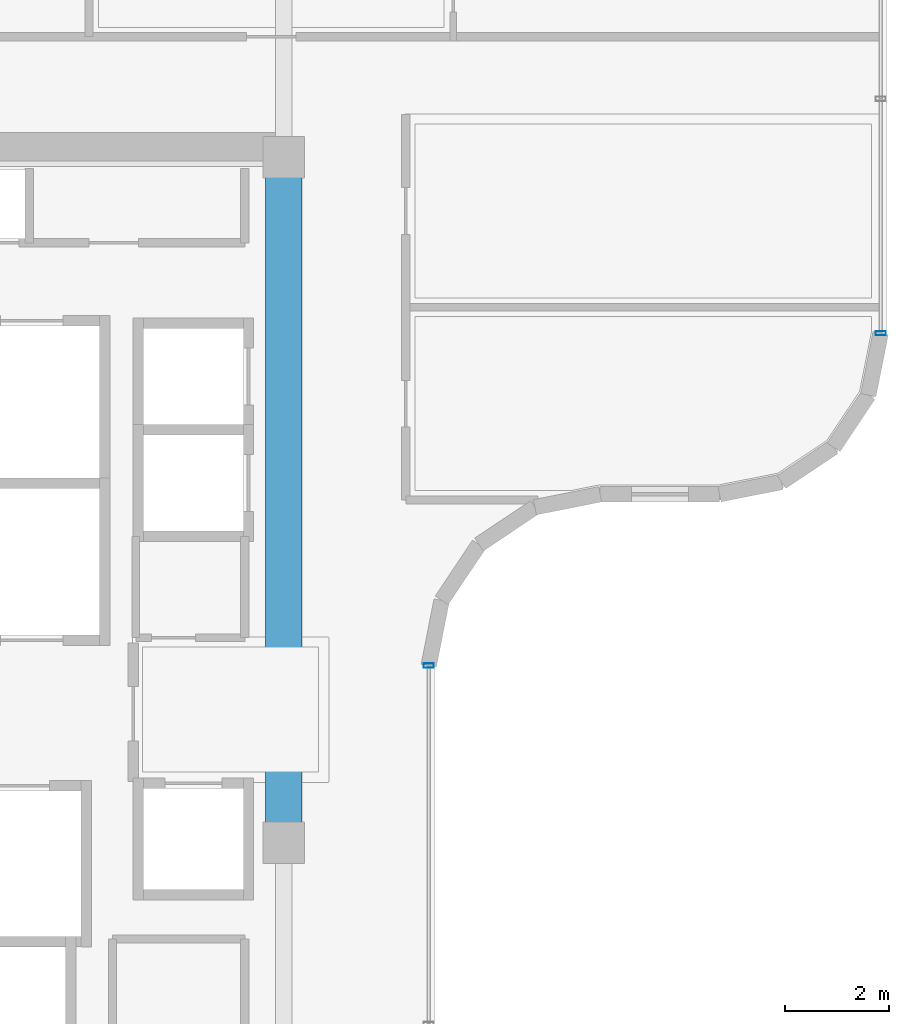
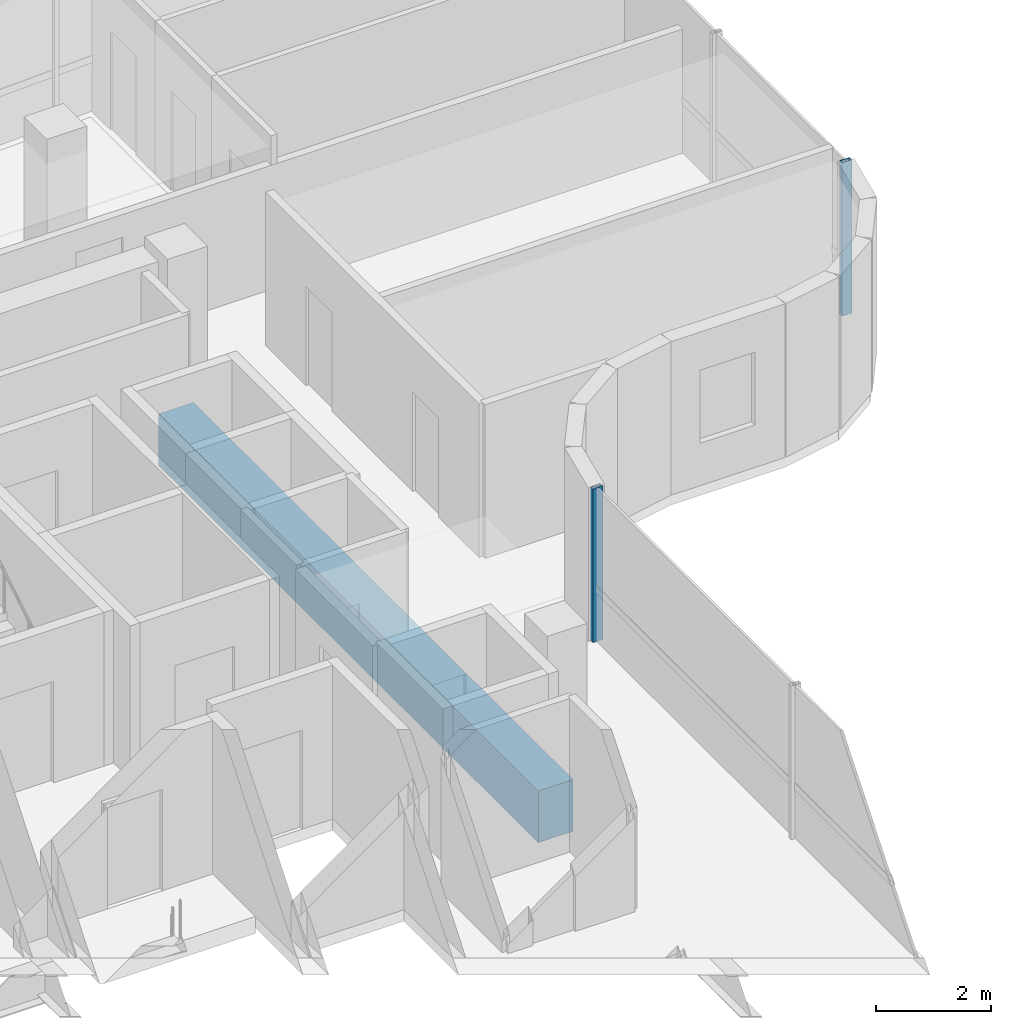
# One storey, part 8 of 18: 2 members, 1 beam, 2 elements without a shape of their own.
"""IFC4 building model written with IfcOpenShell, lengths in metres."""

from ifc_helpers import new_model, si_unit, direction, frame, origin, origin_2d, place, context, subcontext, project, spatial, rectangle, hollow_rectangle, extrude, source, transform, mapped, material, material_profile, profile_set, type_object, element, aggregate, save


model = new_model("IFC4")

# Units and contexts
model_context = context("Model", 3, precision=1e-05, world=origin(), true_north=direction((0.0, 1.0)))
body_context = subcontext(model_context, "Body", "Model", "MODEL_VIEW")
ifc_project = project(units=[si_unit("LENGTHUNIT", "METRE"), si_unit("AREAUNIT", "SQUARE_METRE"), si_unit("VOLUMEUNIT", "CUBIC_METRE"), si_unit("PLANEANGLEUNIT", "RADIAN"), si_unit("MASSUNIT", "GRAM", prefix="KILO")], contexts=[model_context])

# Site, building, storey
site_placement = place(None, origin())
site = spatial("IfcSite", under=ifc_project, at=site_placement, CompositionType="ELEMENT")
building_placement = place(site_placement, origin())
building = spatial("IfcBuilding", under=site, at=building_placement, Name="Valdorenza Pilgrim Sanctuary Tower", CompositionType="ELEMENT")
storey_placement = place(building_placement, frame((0.0, 0.0, 247.5)))
storey = spatial("IfcBuildingStorey", under=building, at=storey_placement, Name="L64", CompositionType="ELEMENT", Elevation=247.5)

# Beam
ifc_material_1 = material(Name="Concrete C50/60", Category="concrete")
ifc_material_profile_1 = material_profile(ifc_material_1, rectangle(XDim=0.699951171875, YDim=1.10009765625, at=origin_2d()), Name="RC 1100x700")
ifc_profile_set_1 = profile_set([ifc_material_profile_1], Name="Concrete C50/60")
beam_type = type_object("IfcBeamType", Name="STR-BM-LNT-1100", PredefinedType="LINTEL", material=ifc_profile_set_1)
shared_shape_1 = source(origin(), body_context, "Body", "SweptSolid", [
    extrude(rectangle(XDim=0.699951171875, YDim=1.10009765625, at=origin_2d()), origin(), (0.0, 0.0, 1.0), 13.2001953125),
])
beam_placement = place(storey_placement, frame((-12.39990234375, -2.60009765625, -0.590087890625), z_axis=(0.0, 1.0, 0.0), x_axis=(-1.0, 0.0, 0.0)))
element("IfcBeam", 1, at=beam_placement, inside=storey, type_object=beam_type, Name="L64 Core A Coupling Lintel Girder", PredefinedType="LINTEL", context=body_context, shape_type="MappedRepresentation", body=[
    mapped(shared_shape_1, transform((0.0, 0.0, 0.0), x_axis=(1.0, 0.0, 0.0), y_axis=(0.0, 1.0, 0.0), z_axis=(0.0, 0.0, 1.0), scale=1.0)),
])

# Curtain wall, member
ifc_material_2 = material(Name="Curtain-wall IGU glazing", Category="glass")
curtain_wall_type = type_object("IfcCurtainWallType", Name="CW-SYS-02", PredefinedType="NOTDEFINED", material=ifc_material_2)
curtain_wall_1_placement = place(storey_placement, origin())
curtain_wall_1 = element("IfcCurtainWall", 2, at=curtain_wall_1_placement, inside=storey, type_object=curtain_wall_type, Name="L64 Curtain Wall CW-L64-1-11", PredefinedType="NOTDEFINED")
ifc_material_3 = material(Name="Anodised aluminium AW-6060", Category="aluminium")
ifc_material_profile_2 = material_profile(ifc_material_3, hollow_rectangle(XDim=0.0849609375, YDim=0.199951171875, WallThickness=0.0048828125, at=origin_2d()), Name="ALU-M 200x85x5")
ifc_profile_set_2 = profile_set([ifc_material_profile_2], Name="Anodised aluminium AW-6060")
member_type = type_object("IfcMemberType", Name="CW-MUL-02", PredefinedType="MULLION", material=ifc_profile_set_2)
shared_shape_2 = source(origin(), body_context, "Body", "SweptSolid", [
    extrude(hollow_rectangle(XDim=0.0849609375, YDim=0.199951171875, WallThickness=0.0048828125, at=origin_2d()), origin(), (0.0, 0.0, 1.0), 3.260009765625),
])
member_1_placement = place(storey_placement, frame((-0.909912109375, 7.210693359375, 0.0), z_axis=(0.0, 0.0, 1.0), x_axis=(0.0, -1.0, 0.0)))
member_1 = element("IfcMember", 3, at=member_1_placement, type_object=member_type, Name="CW-L64-1-11 Mullion 3", PredefinedType="MULLION", context=body_context, shape_type="MappedRepresentation", body=[
    mapped(shared_shape_2, transform((0.0, 0.0, 0.0), x_axis=(1.0, 0.0, 0.0), y_axis=(0.0, 1.0, 0.0), z_axis=(0.0, 0.0, 1.0), scale=1.0)),
])
aggregate(curtain_wall_1, [member_1])

curtain_wall_2_placement = place(storey_placement, origin())
curtain_wall_2 = element("IfcCurtainWall", 4, at=curtain_wall_2_placement, inside=storey, type_object=curtain_wall_type, Name="L64 Curtain Wall CW-L64-1-21", PredefinedType="NOTDEFINED")
member_2_placement = place(storey_placement, frame((-9.610107421875, 0.810791015625, 0.0), z_axis=(0.0, 0.0, 1.0), x_axis=(0.0, -1.0, 0.0)))
member_2 = element("IfcMember", 5, at=member_2_placement, type_object=member_type, Name="CW-L64-1-21 Mullion 1", PredefinedType="MULLION", context=body_context, shape_type="MappedRepresentation", body=[
    mapped(shared_shape_2, transform((0.0, 0.0, 0.0), x_axis=(1.0, 0.0, 0.0), y_axis=(0.0, 1.0, 0.0), z_axis=(0.0, 0.0, 1.0), scale=1.0)),
])
aggregate(curtain_wall_2, [member_2])

save(model, "model.ifc")
